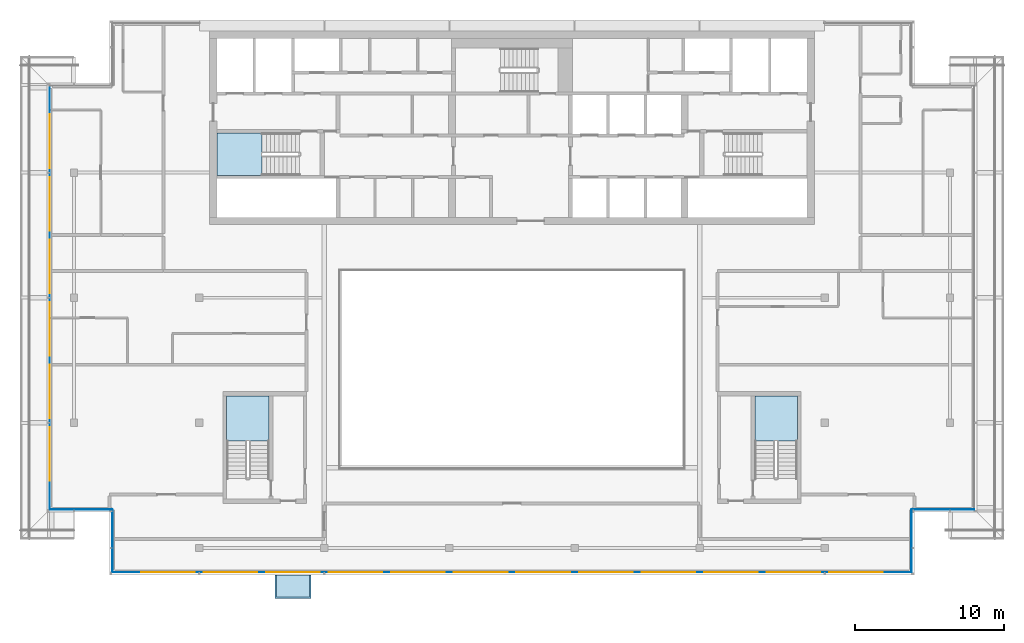
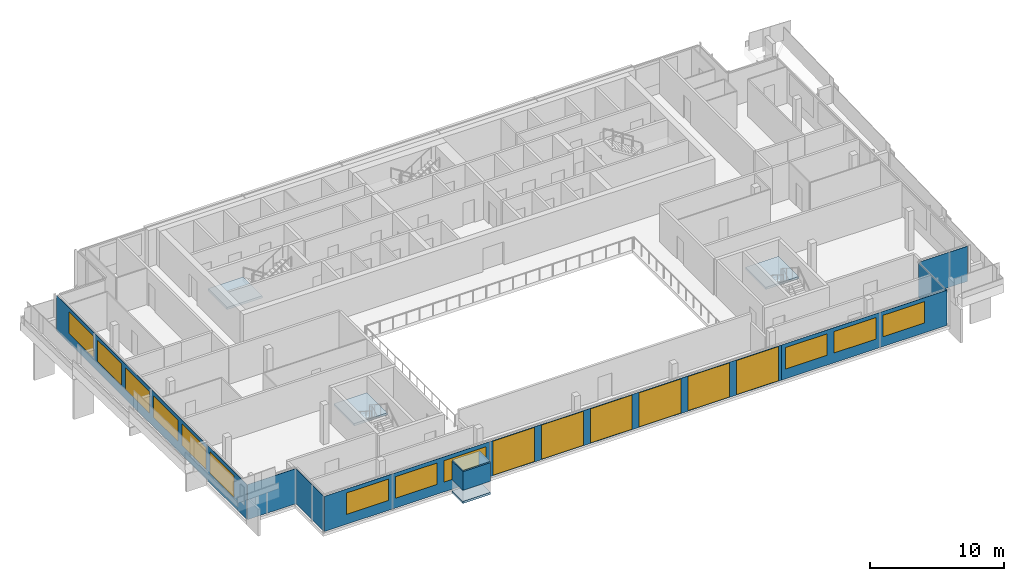
# One storey, part 9 of 19: 18 windows, 10 plates, 4 slabs, 18 openings, 9 elements without a shape of their own.
"""IFC4 building model written with IfcOpenShell, lengths in metres."""

from ifc_helpers import new_model, si_unit, direction, frame, frame_2d, origin, place, context, subcontext, project, spatial, polyline, rectangle, outline, extrude, material, layer, layer_set, type_object, element, fill, aggregate, save


model = new_model("IFC4")

# Units and contexts
model_context = context("Model", 3, precision=1e-05, world=origin(), true_north=direction((0.0, 1.0)))
body_context = subcontext(model_context, "Body", "Model", "MODEL_VIEW")
ifc_project = project(units=[si_unit("LENGTHUNIT", "METRE"), si_unit("AREAUNIT", "SQUARE_METRE"), si_unit("VOLUMEUNIT", "CUBIC_METRE"), si_unit("PLANEANGLEUNIT", "RADIAN"), si_unit("MASSUNIT", "GRAM", prefix="KILO")], contexts=[model_context])

# Site, building, storey
site_placement = place(None, origin())
site = spatial("IfcSite", under=ifc_project, at=site_placement, CompositionType="ELEMENT")
building_placement = place(site_placement, origin())
building = spatial("IfcBuilding", under=site, at=building_placement, Name="Saffron Gate Tower", CompositionType="ELEMENT")
storey_placement = place(building_placement, frame((0.0, 0.0, 292.35009765625)))
storey = spatial("IfcBuildingStorey", under=building, at=storey_placement, Name="L71", CompositionType="ELEMENT", Elevation=292.35009765625)

# Curtain wall, plates, openings, windows
ifc_material_1 = material(Name="Aluminium, bronze anodised", Category="aluminium")
curtain_wall_type_1 = type_object("IfcCurtainWallType", Name="CWS1 curtain wall front facade", PredefinedType="NOTDEFINED", material=ifc_material_1)
curtain_wall_1_placement = place(storey_placement, origin())
curtain_wall_1 = element("IfcCurtainWall", 1, at=curtain_wall_1_placement, inside=storey, type_object=curtain_wall_type_1, Name="CWS1 run 1", PredefinedType="NOTDEFINED")
ifc_material_2 = material(Name="Clear low-iron laminated glass", Category="glass")
ifc_layer_1 = layer(ifc_material_2, 0.028076171875)
ifc_layer_set_1 = layer_set([ifc_layer_1], Name="CWS1 clear glass")
plate_type_1 = type_object("IfcPlateType", Name="CWS1 clear glass", PredefinedType="CURTAIN_PANEL", material=ifc_layer_set_1)
plate_1_placement = place(storey_placement, frame((75.030029296875, 38.573974609375, 0.0), z_axis=(0.0, 0.0, 1.0), x_axis=(1.0, 0.0, 0.0)))
plate_1 = element("IfcPlate", 2, at=plate_1_placement, type_object=plate_type_1, Name="CWS1 clear glass panel", PredefinedType="CURTAIN_PANEL", context=body_context, shape_type="SweptSolid", body=[
    extrude(rectangle(XDim=25.139892578125, YDim=0.028076171875, at=frame_2d((12.56982421875, 0.0))), origin(), (0.0, 0.0, 1.0), 3.199951171875),
])
opening_1_placement = place(plate_1_placement, frame((0.27001953125, 0.0, 0.050048828125)))
opening_1 = element("IfcOpeningElement", 3, at=opening_1_placement, cuts=plate_1, Name="Opening WA", PredefinedType="OPENING", context=body_context, shape_type="SweptSolid", body=[
    extrude(rectangle(XDim=3.60009765625, YDim=3.10009765625, at=frame_2d((1.800048828125, 1.550048828125))), frame((0.0, 0.02392578125, 0.0), z_axis=(0.0, -1.0, 0.0), x_axis=(1.0, 0.0, 0.0)), (0.0, 0.0, 1.0), 0.048095703125),
])
opening_2_placement = place(plate_1_placement, frame((4.469970703125, 0.0, 0.050048828125)))
opening_2 = element("IfcOpeningElement", 4, at=opening_2_placement, cuts=plate_1, Name="Opening WA", PredefinedType="OPENING", context=body_context, shape_type="SweptSolid", body=[
    extrude(rectangle(XDim=3.60009765625, YDim=3.10009765625, at=frame_2d((1.800048828125, 1.550048828125))), frame((0.0, 0.02392578125, 0.0), z_axis=(0.0, -1.0, 0.0), x_axis=(1.0, 0.0, 0.0)), (0.0, 0.0, 1.0), 0.048095703125),
])
opening_3_placement = place(plate_1_placement, frame((8.669921875, 0.0, 0.050048828125)))
opening_3 = element("IfcOpeningElement", 5, at=opening_3_placement, cuts=plate_1, Name="Opening WA", PredefinedType="OPENING", context=body_context, shape_type="SweptSolid", body=[
    extrude(rectangle(XDim=3.60009765625, YDim=3.10009765625, at=frame_2d((1.800048828125, 1.550048828125))), frame((0.0, 0.02392578125, 0.0), z_axis=(0.0, -1.0, 0.0), x_axis=(1.0, 0.0, 0.0)), (0.0, 0.0, 1.0), 0.048095703125),
])
opening_4_placement = place(plate_1_placement, frame((12.8701171875, 0.0, 0.050048828125)))
opening_4 = element("IfcOpeningElement", 6, at=opening_4_placement, cuts=plate_1, Name="Opening WA", PredefinedType="OPENING", context=body_context, shape_type="SweptSolid", body=[
    extrude(rectangle(XDim=3.60009765625, YDim=3.10009765625, at=frame_2d((1.800048828125, 1.550048828125))), frame((0.0, 0.02392578125, 0.0), z_axis=(0.0, -1.0, 0.0), x_axis=(1.0, 0.0, 0.0)), (0.0, 0.0, 1.0), 0.048095703125),
])
opening_5_placement = place(plate_1_placement, frame((17.070068359375, 0.0, 0.050048828125)))
opening_5 = element("IfcOpeningElement", 7, at=opening_5_placement, cuts=plate_1, Name="Opening WA", PredefinedType="OPENING", context=body_context, shape_type="SweptSolid", body=[
    extrude(rectangle(XDim=3.60009765625, YDim=3.10009765625, at=frame_2d((1.800048828125, 1.550048828125))), frame((0.0, 0.02392578125, 0.0), z_axis=(0.0, -1.0, 0.0), x_axis=(1.0, 0.0, 0.0)), (0.0, 0.0, 1.0), 0.048095703125),
])
opening_6_placement = place(plate_1_placement, frame((21.27001953125, 0.0, 0.050048828125)))
opening_6 = element("IfcOpeningElement", 8, at=opening_6_placement, cuts=plate_1, Name="Opening WA", PredefinedType="OPENING", context=body_context, shape_type="SweptSolid", body=[
    extrude(rectangle(XDim=3.60009765625, YDim=3.10009765625, at=frame_2d((1.800048828125, 1.550048828125))), frame((0.0, 0.02392578125, 0.0), z_axis=(0.0, -1.0, 0.0), x_axis=(1.0, 0.0, 0.0)), (0.0, 0.0, 1.0), 0.048095703125),
])
ifc_material_3 = material(Name="Clear low-iron laminated glass in bronze frame", Category="glass")
ifc_layer_2 = layer(ifc_material_3, 0.06005859375)
ifc_layer_set_2 = layer_set([ifc_layer_2], Name="WA operable atrium unit 3600x3100")
window_type_1 = type_object("IfcWindowType", Name="WA operable atrium unit 3600x3100", PartitioningType="DOUBLE_PANEL_HORIZONTAL", PredefinedType="WINDOW", material=ifc_layer_set_2)
window_1_placement = place(opening_1_placement, origin())
window_1 = element("IfcWindow", 9, at=window_1_placement, type_object=window_type_1, Name="WA operable atrium unit", OverallHeight=3.10009765625, OverallWidth=3.60009765625, PartitioningType="SINGLE_PANEL", PredefinedType="WINDOW", context=body_context, shape_type="SweptSolid", body=[
    extrude(rectangle(XDim=3.60009765625, YDim=3.10009765625, at=frame_2d((1.800048828125, 1.550048828125))), frame((0.0, 0.013671875, 0.0), z_axis=(0.0, -1.0, 0.0), x_axis=(1.0, 0.0, 0.0)), (0.0, 0.0, 1.0), 0.027587890625),
])
fill(opening_1, window_1)
window_2_placement = place(opening_2_placement, origin())
window_2 = element("IfcWindow", 10, at=window_2_placement, type_object=window_type_1, Name="WA operable atrium unit", OverallHeight=3.10009765625, OverallWidth=3.60009765625, PartitioningType="SINGLE_PANEL", PredefinedType="WINDOW", context=body_context, shape_type="SweptSolid", body=[
    extrude(rectangle(XDim=3.60009765625, YDim=3.10009765625, at=frame_2d((1.800048828125, 1.550048828125))), frame((0.0, 0.013671875, 0.0), z_axis=(0.0, -1.0, 0.0), x_axis=(1.0, 0.0, 0.0)), (0.0, 0.0, 1.0), 0.027587890625),
])
fill(opening_2, window_2)
window_3_placement = place(opening_3_placement, origin())
window_3 = element("IfcWindow", 11, at=window_3_placement, type_object=window_type_1, Name="WA operable atrium unit", OverallHeight=3.10009765625, OverallWidth=3.60009765625, PartitioningType="SINGLE_PANEL", PredefinedType="WINDOW", context=body_context, shape_type="SweptSolid", body=[
    extrude(rectangle(XDim=3.60009765625, YDim=3.10009765625, at=frame_2d((1.800048828125, 1.550048828125))), frame((0.0, 0.013671875, 0.0), z_axis=(0.0, -1.0, 0.0), x_axis=(1.0, 0.0, 0.0)), (0.0, 0.0, 1.0), 0.027587890625),
])
fill(opening_3, window_3)
window_4_placement = place(opening_4_placement, origin())
window_4 = element("IfcWindow", 12, at=window_4_placement, type_object=window_type_1, Name="WA operable atrium unit", OverallHeight=3.10009765625, OverallWidth=3.60009765625, PartitioningType="SINGLE_PANEL", PredefinedType="WINDOW", context=body_context, shape_type="SweptSolid", body=[
    extrude(rectangle(XDim=3.60009765625, YDim=3.10009765625, at=frame_2d((1.800048828125, 1.550048828125))), frame((0.0, 0.013671875, 0.0), z_axis=(0.0, -1.0, 0.0), x_axis=(1.0, 0.0, 0.0)), (0.0, 0.0, 1.0), 0.027587890625),
])
fill(opening_4, window_4)
window_5_placement = place(opening_5_placement, origin())
window_5 = element("IfcWindow", 13, at=window_5_placement, type_object=window_type_1, Name="WA operable atrium unit", OverallHeight=3.10009765625, OverallWidth=3.60009765625, PartitioningType="SINGLE_PANEL", PredefinedType="WINDOW", context=body_context, shape_type="SweptSolid", body=[
    extrude(rectangle(XDim=3.60009765625, YDim=3.10009765625, at=frame_2d((1.800048828125, 1.550048828125))), frame((0.0, 0.013671875, 0.0), z_axis=(0.0, -1.0, 0.0), x_axis=(1.0, 0.0, 0.0)), (0.0, 0.0, 1.0), 0.027587890625),
])
fill(opening_5, window_5)
window_6_placement = place(opening_6_placement, origin())
window_6 = element("IfcWindow", 14, at=window_6_placement, type_object=window_type_1, Name="WA operable atrium unit", OverallHeight=3.10009765625, OverallWidth=3.60009765625, PartitioningType="SINGLE_PANEL", PredefinedType="WINDOW", context=body_context, shape_type="SweptSolid", body=[
    extrude(rectangle(XDim=3.60009765625, YDim=3.10009765625, at=frame_2d((1.800048828125, 1.550048828125))), frame((0.0, 0.013671875, 0.0), z_axis=(0.0, -1.0, 0.0), x_axis=(1.0, 0.0, 0.0)), (0.0, 0.0, 1.0), 0.027587890625),
])
fill(opening_6, window_6)
ifc_material_4 = material(Name="Fritted bronze-tinted laminated glass", Category="glass")
ifc_layer_3 = layer(ifc_material_4, 0.028076171875)
ifc_layer_set_3 = layer_set([ifc_layer_3], Name="CWS1 fixed glass")
plate_type_2 = type_object("IfcPlateType", Name="CWS1 fixed glass", PredefinedType="CURTAIN_PANEL", material=ifc_layer_set_3)
plate_2_placement = place(storey_placement, frame((60.7880859375, 38.573974609375, 0.0), z_axis=(0.0, 0.0, 1.0), x_axis=(1.0, 0.0, 0.0)))
plate_2 = element("IfcPlate", 15, at=plate_2_placement, type_object=plate_type_2, Name="CWS1 glass panel", PredefinedType="CURTAIN_PANEL", context=body_context, shape_type="SweptSolid", body=[
    extrude(rectangle(XDim=14.241943359375, YDim=0.028076171875, at=frame_2d((7.12109375, 0.0))), origin(), (0.0, 0.0, 1.0), 3.199951171875),
])
opening_7_placement = place(plate_2_placement, frame((1.912109375, 0.0, 0.89990234375)))
opening_7 = element("IfcOpeningElement", 16, at=opening_7_placement, cuts=plate_2, Name="Opening W1", PredefinedType="OPENING", context=body_context, shape_type="SweptSolid", body=[
    extrude(rectangle(XDim=3.60009765625, YDim=1.949951171875, at=frame_2d((1.800048828125, 0.97509765625))), frame((0.0, 0.02392578125, 0.0), z_axis=(0.0, -1.0, 0.0), x_axis=(1.0, 0.0, 0.0)), (0.0, 0.0, 1.0), 0.048095703125),
])
opening_8_placement = place(plate_2_placement, frame((6.112060546875, 0.0, 0.89990234375)))
opening_8 = element("IfcOpeningElement", 17, at=opening_8_placement, cuts=plate_2, Name="Opening W1", PredefinedType="OPENING", context=body_context, shape_type="SweptSolid", body=[
    extrude(rectangle(XDim=3.60009765625, YDim=1.949951171875, at=frame_2d((1.800048828125, 0.97509765625))), frame((0.0, 0.02392578125, 0.0), z_axis=(0.0, -1.0, 0.0), x_axis=(1.0, 0.0, 0.0)), (0.0, 0.0, 1.0), 0.048095703125),
])
opening_9_placement = place(plate_2_placement, frame((10.31201171875, 0.0, 0.89990234375)))
opening_9 = element("IfcOpeningElement", 18, at=opening_9_placement, cuts=plate_2, Name="Opening W1", PredefinedType="OPENING", context=body_context, shape_type="SweptSolid", body=[
    extrude(rectangle(XDim=3.60009765625, YDim=1.949951171875, at=frame_2d((1.800048828125, 0.97509765625))), frame((0.0, 0.02392578125, 0.0), z_axis=(0.0, -1.0, 0.0), x_axis=(1.0, 0.0, 0.0)), (0.0, 0.0, 1.0), 0.048095703125),
])
ifc_material_5 = material(Name="Fritted bronze-tinted laminated glass in bronze frame", Category="glass")
ifc_layer_4 = layer(ifc_material_5, 0.06005859375)
ifc_layer_set_4 = layer_set([ifc_layer_4], Name="W1 operable panel 3600x1950")
window_type_2 = type_object("IfcWindowType", Name="W1 operable panel 3600x1950", PartitioningType="DOUBLE_PANEL_HORIZONTAL", PredefinedType="WINDOW", material=ifc_layer_set_4)
window_7_placement = place(opening_7_placement, origin())
window_7 = element("IfcWindow", 19, at=window_7_placement, type_object=window_type_2, Name="W1 operable panel", OverallHeight=1.949951171875, OverallWidth=3.60009765625, PartitioningType="SINGLE_PANEL", PredefinedType="WINDOW", context=body_context, shape_type="SweptSolid", body=[
    extrude(rectangle(XDim=3.60009765625, YDim=1.949951171875, at=frame_2d((1.800048828125, 0.97509765625))), frame((0.0, 0.013671875, 0.0), z_axis=(0.0, -1.0, 0.0), x_axis=(1.0, 0.0, 0.0)), (0.0, 0.0, 1.0), 0.027587890625),
])
fill(opening_7, window_7)
window_8_placement = place(opening_8_placement, origin())
window_8 = element("IfcWindow", 20, at=window_8_placement, type_object=window_type_2, Name="W1 operable panel", OverallHeight=1.949951171875, OverallWidth=3.60009765625, PartitioningType="SINGLE_PANEL", PredefinedType="WINDOW", context=body_context, shape_type="SweptSolid", body=[
    extrude(rectangle(XDim=3.60009765625, YDim=1.949951171875, at=frame_2d((1.800048828125, 0.97509765625))), frame((0.0, 0.013671875, 0.0), z_axis=(0.0, -1.0, 0.0), x_axis=(1.0, 0.0, 0.0)), (0.0, 0.0, 1.0), 0.027587890625),
])
fill(opening_8, window_8)
window_9_placement = place(opening_9_placement, origin())
window_9 = element("IfcWindow", 21, at=window_9_placement, type_object=window_type_2, Name="W1 operable panel", OverallHeight=1.949951171875, OverallWidth=3.60009765625, PartitioningType="SINGLE_PANEL", PredefinedType="WINDOW", context=body_context, shape_type="SweptSolid", body=[
    extrude(rectangle(XDim=3.60009765625, YDim=1.949951171875, at=frame_2d((1.800048828125, 0.97509765625))), frame((0.0, 0.013671875, 0.0), z_axis=(0.0, -1.0, 0.0), x_axis=(1.0, 0.0, 0.0)), (0.0, 0.0, 1.0), 0.027587890625),
])
fill(opening_9, window_9)
plate_3_placement = place(storey_placement, frame((100.169921875, 38.573974609375, 0.0), z_axis=(0.0, 0.0, 1.0), x_axis=(1.0, 0.0, 0.0)))
plate_3 = element("IfcPlate", 22, at=plate_3_placement, type_object=plate_type_2, Name="CWS1 glass panel", PredefinedType="CURTAIN_PANEL", context=body_context, shape_type="SweptSolid", body=[
    extrude(rectangle(XDim=14.2421875, YDim=0.028076171875, at=frame_2d((7.12109375, 0.0))), origin(), (0.0, 0.0, 1.0), 3.199951171875),
])
opening_10_placement = place(plate_3_placement, frame((0.330078125, 0.0, 0.89990234375)))
opening_10 = element("IfcOpeningElement", 23, at=opening_10_placement, cuts=plate_3, Name="Opening W1", PredefinedType="OPENING", context=body_context, shape_type="SweptSolid", body=[
    extrude(rectangle(XDim=3.60009765625, YDim=1.949951171875, at=frame_2d((1.800048828125, 0.97509765625))), frame((0.0, 0.02392578125, 0.0), z_axis=(0.0, -1.0, 0.0), x_axis=(1.0, 0.0, 0.0)), (0.0, 0.0, 1.0), 0.048095703125),
])
opening_11_placement = place(plate_3_placement, frame((4.530029296875, 0.0, 0.89990234375)))
opening_11 = element("IfcOpeningElement", 24, at=opening_11_placement, cuts=plate_3, Name="Opening W1", PredefinedType="OPENING", context=body_context, shape_type="SweptSolid", body=[
    extrude(rectangle(XDim=3.60009765625, YDim=1.949951171875, at=frame_2d((1.800048828125, 0.97509765625))), frame((0.0, 0.02392578125, 0.0), z_axis=(0.0, -1.0, 0.0), x_axis=(1.0, 0.0, 0.0)), (0.0, 0.0, 1.0), 0.048095703125),
])
opening_12_placement = place(plate_3_placement, frame((8.72998046875, 0.0, 0.89990234375)))
opening_12 = element("IfcOpeningElement", 25, at=opening_12_placement, cuts=plate_3, Name="Opening W1", PredefinedType="OPENING", context=body_context, shape_type="SweptSolid", body=[
    extrude(rectangle(XDim=3.60009765625, YDim=1.949951171875, at=frame_2d((1.800048828125, 0.97509765625))), frame((0.0, 0.02392578125, 0.0), z_axis=(0.0, -1.0, 0.0), x_axis=(1.0, 0.0, 0.0)), (0.0, 0.0, 1.0), 0.048095703125),
])
window_10_placement = place(opening_10_placement, origin())
window_10 = element("IfcWindow", 26, at=window_10_placement, type_object=window_type_2, Name="W1 operable panel", OverallHeight=1.949951171875, OverallWidth=3.60009765625, PartitioningType="SINGLE_PANEL", PredefinedType="WINDOW", context=body_context, shape_type="SweptSolid", body=[
    extrude(rectangle(XDim=3.60009765625, YDim=1.949951171875, at=frame_2d((1.800048828125, 0.97509765625))), frame((0.0, 0.013671875, 0.0), z_axis=(0.0, -1.0, 0.0), x_axis=(1.0, 0.0, 0.0)), (0.0, 0.0, 1.0), 0.027587890625),
])
fill(opening_10, window_10)
window_11_placement = place(opening_11_placement, origin())
window_11 = element("IfcWindow", 27, at=window_11_placement, type_object=window_type_2, Name="W1 operable panel", OverallHeight=1.949951171875, OverallWidth=3.60009765625, PartitioningType="SINGLE_PANEL", PredefinedType="WINDOW", context=body_context, shape_type="SweptSolid", body=[
    extrude(rectangle(XDim=3.60009765625, YDim=1.949951171875, at=frame_2d((1.800048828125, 0.97509765625))), frame((0.0, 0.013671875, 0.0), z_axis=(0.0, -1.0, 0.0), x_axis=(1.0, 0.0, 0.0)), (0.0, 0.0, 1.0), 0.027587890625),
])
fill(opening_11, window_11)
window_12_placement = place(opening_12_placement, origin())
window_12 = element("IfcWindow", 28, at=window_12_placement, type_object=window_type_2, Name="W1 operable panel", OverallHeight=1.949951171875, OverallWidth=3.60009765625, PartitioningType="SINGLE_PANEL", PredefinedType="WINDOW", context=body_context, shape_type="SweptSolid", body=[
    extrude(rectangle(XDim=3.60009765625, YDim=1.949951171875, at=frame_2d((1.800048828125, 0.97509765625))), frame((0.0, 0.013671875, 0.0), z_axis=(0.0, -1.0, 0.0), x_axis=(1.0, 0.0, 0.0)), (0.0, 0.0, 1.0), 0.027587890625),
])
fill(opening_12, window_12)
aggregate(curtain_wall_1, [plate_2, plate_3, plate_1, window_7, window_8, window_9, window_10, window_11, window_12, window_1, window_2, window_3, window_4, window_5, window_6])

# Curtain wall, plate, openings, windows
curtain_wall_type_2 = type_object("IfcCurtainWallType", Name="CWS2 curtain wall side facades", PredefinedType="NOTDEFINED", material=ifc_material_1)
curtain_wall_2_placement = place(storey_placement, origin())
curtain_wall_2 = element("IfcCurtainWall", 29, at=curtain_wall_2_placement, inside=storey, type_object=curtain_wall_type_2, Name="CWS2 run 10", PredefinedType="NOTDEFINED")
ifc_layer_5 = layer(ifc_material_4, 0.028076171875)
ifc_layer_set_5 = layer_set([ifc_layer_5], Name="CWS2 fixed glass")
plate_type_3 = type_object("IfcPlateType", Name="CWS2 fixed glass", PredefinedType="CURTAIN_PANEL", material=ifc_layer_set_5)
plate_4_placement = place(storey_placement, frame((56.573974609375, 71.2119140625, 0.0), z_axis=(0.0, 0.0, 1.0), x_axis=(0.0, -1.0, 0.0)))
plate_4 = element("IfcPlate", 30, at=plate_4_placement, type_object=plate_type_3, Name="CWS2 glass panel", PredefinedType="CURTAIN_PANEL", context=body_context, shape_type="SweptSolid", body=[
    extrude(rectangle(XDim=28.423828125, YDim=0.028076171875, at=frame_2d((14.2119140625, 0.0))), origin(), (0.0, 0.0, 1.0), 3.199951171875),
])
opening_13_placement = place(plate_4_placement, frame((1.912109375, 0.0, 0.89990234375)))
opening_13 = element("IfcOpeningElement", 31, at=opening_13_placement, cuts=plate_4, Name="Opening W1", PredefinedType="OPENING", context=body_context, shape_type="SweptSolid", body=[
    extrude(rectangle(XDim=3.60009765625, YDim=1.949951171875, at=frame_2d((1.800048828125, 0.97509765625))), frame((0.0, 0.02392578125, 0.0), z_axis=(0.0, -1.0, 0.0), x_axis=(1.0, 0.0, 0.0)), (0.0, 0.0, 1.0), 0.048095703125),
])
opening_14_placement = place(plate_4_placement, frame((6.112060546875, 0.0, 0.89990234375)))
opening_14 = element("IfcOpeningElement", 32, at=opening_14_placement, cuts=plate_4, Name="Opening W1", PredefinedType="OPENING", context=body_context, shape_type="SweptSolid", body=[
    extrude(rectangle(XDim=3.60009765625, YDim=1.949951171875, at=frame_2d((1.800048828125, 0.97509765625))), frame((0.0, 0.02392578125, 0.0), z_axis=(0.0, -1.0, 0.0), x_axis=(1.0, 0.0, 0.0)), (0.0, 0.0, 1.0), 0.048095703125),
])
opening_15_placement = place(plate_4_placement, frame((10.31201171875, 0.0, 0.89990234375)))
opening_15 = element("IfcOpeningElement", 33, at=opening_15_placement, cuts=plate_4, Name="Opening W1", PredefinedType="OPENING", context=body_context, shape_type="SweptSolid", body=[
    extrude(rectangle(XDim=3.60009765625, YDim=1.949951171875, at=frame_2d((1.800048828125, 0.97509765625))), frame((0.0, 0.02392578125, 0.0), z_axis=(0.0, -1.0, 0.0), x_axis=(1.0, 0.0, 0.0)), (0.0, 0.0, 1.0), 0.048095703125),
])
opening_16_placement = place(plate_4_placement, frame((14.511962890625, 0.0, 0.89990234375)))
opening_16 = element("IfcOpeningElement", 34, at=opening_16_placement, cuts=plate_4, Name="Opening W1", PredefinedType="OPENING", context=body_context, shape_type="SweptSolid", body=[
    extrude(rectangle(XDim=3.60009765625, YDim=1.949951171875, at=frame_2d((1.800048828125, 0.97509765625))), frame((0.0, 0.02392578125, 0.0), z_axis=(0.0, -1.0, 0.0), x_axis=(1.0, 0.0, 0.0)), (0.0, 0.0, 1.0), 0.048095703125),
])
opening_17_placement = place(plate_4_placement, frame((18.7119140625, 0.0, 0.89990234375)))
opening_17 = element("IfcOpeningElement", 35, at=opening_17_placement, cuts=plate_4, Name="Opening W1", PredefinedType="OPENING", context=body_context, shape_type="SweptSolid", body=[
    extrude(rectangle(XDim=3.60009765625, YDim=1.949951171875, at=frame_2d((1.800048828125, 0.97509765625))), frame((0.0, 0.02392578125, 0.0), z_axis=(0.0, -1.0, 0.0), x_axis=(1.0, 0.0, 0.0)), (0.0, 0.0, 1.0), 0.048095703125),
])
opening_18_placement = place(plate_4_placement, frame((22.912109375, 0.0, 0.89990234375)))
opening_18 = element("IfcOpeningElement", 36, at=opening_18_placement, cuts=plate_4, Name="Opening W1", PredefinedType="OPENING", context=body_context, shape_type="SweptSolid", body=[
    extrude(rectangle(XDim=3.60009765625, YDim=1.949951171875, at=frame_2d((1.800048828125, 0.97509765625))), frame((0.0, 0.02392578125, 0.0), z_axis=(0.0, -1.0, 0.0), x_axis=(1.0, 0.0, 0.0)), (0.0, 0.0, 1.0), 0.048095703125),
])
window_13_placement = place(opening_13_placement, origin())
window_13 = element("IfcWindow", 37, at=window_13_placement, type_object=window_type_2, Name="W1 operable panel", OverallHeight=1.949951171875, OverallWidth=3.60009765625, PartitioningType="SINGLE_PANEL", PredefinedType="WINDOW", context=body_context, shape_type="SweptSolid", body=[
    extrude(rectangle(XDim=3.60009765625, YDim=1.949951171875, at=frame_2d((1.800048828125, 0.97509765625))), frame((0.0, 0.013671875, 0.0), z_axis=(0.0, -1.0, 0.0), x_axis=(1.0, 0.0, 0.0)), (0.0, 0.0, 1.0), 0.027587890625),
])
fill(opening_13, window_13)
window_14_placement = place(opening_14_placement, origin())
window_14 = element("IfcWindow", 38, at=window_14_placement, type_object=window_type_2, Name="W1 operable panel", OverallHeight=1.949951171875, OverallWidth=3.60009765625, PartitioningType="SINGLE_PANEL", PredefinedType="WINDOW", context=body_context, shape_type="SweptSolid", body=[
    extrude(rectangle(XDim=3.60009765625, YDim=1.949951171875, at=frame_2d((1.800048828125, 0.97509765625))), frame((0.0, 0.013671875, 0.0), z_axis=(0.0, -1.0, 0.0), x_axis=(1.0, 0.0, 0.0)), (0.0, 0.0, 1.0), 0.027587890625),
])
fill(opening_14, window_14)
window_15_placement = place(opening_15_placement, origin())
window_15 = element("IfcWindow", 39, at=window_15_placement, type_object=window_type_2, Name="W1 operable panel", OverallHeight=1.949951171875, OverallWidth=3.60009765625, PartitioningType="SINGLE_PANEL", PredefinedType="WINDOW", context=body_context, shape_type="SweptSolid", body=[
    extrude(rectangle(XDim=3.60009765625, YDim=1.949951171875, at=frame_2d((1.800048828125, 0.97509765625))), frame((0.0, 0.013671875, 0.0), z_axis=(0.0, -1.0, 0.0), x_axis=(1.0, 0.0, 0.0)), (0.0, 0.0, 1.0), 0.027587890625),
])
fill(opening_15, window_15)
window_16_placement = place(opening_16_placement, origin())
window_16 = element("IfcWindow", 40, at=window_16_placement, type_object=window_type_2, Name="W1 operable panel", OverallHeight=1.949951171875, OverallWidth=3.60009765625, PartitioningType="SINGLE_PANEL", PredefinedType="WINDOW", context=body_context, shape_type="SweptSolid", body=[
    extrude(rectangle(XDim=3.60009765625, YDim=1.949951171875, at=frame_2d((1.800048828125, 0.97509765625))), frame((0.0, 0.013671875, 0.0), z_axis=(0.0, -1.0, 0.0), x_axis=(1.0, 0.0, 0.0)), (0.0, 0.0, 1.0), 0.027587890625),
])
fill(opening_16, window_16)
window_17_placement = place(opening_17_placement, origin())
window_17 = element("IfcWindow", 41, at=window_17_placement, type_object=window_type_2, Name="W1 operable panel", OverallHeight=1.949951171875, OverallWidth=3.60009765625, PartitioningType="SINGLE_PANEL", PredefinedType="WINDOW", context=body_context, shape_type="SweptSolid", body=[
    extrude(rectangle(XDim=3.60009765625, YDim=1.949951171875, at=frame_2d((1.800048828125, 0.97509765625))), frame((0.0, 0.013671875, 0.0), z_axis=(0.0, -1.0, 0.0), x_axis=(1.0, 0.0, 0.0)), (0.0, 0.0, 1.0), 0.027587890625),
])
fill(opening_17, window_17)
window_18_placement = place(opening_18_placement, origin())
window_18 = element("IfcWindow", 42, at=window_18_placement, type_object=window_type_2, Name="W1 operable panel", OverallHeight=1.949951171875, OverallWidth=3.60009765625, PartitioningType="SINGLE_PANEL", PredefinedType="WINDOW", context=body_context, shape_type="SweptSolid", body=[
    extrude(rectangle(XDim=3.60009765625, YDim=1.949951171875, at=frame_2d((1.800048828125, 0.97509765625))), frame((0.0, 0.013671875, 0.0), z_axis=(0.0, -1.0, 0.0), x_axis=(1.0, 0.0, 0.0)), (0.0, 0.0, 1.0), 0.027587890625),
])
fill(opening_18, window_18)
aggregate(curtain_wall_2, [plate_4, window_13, window_14, window_15, window_16, window_17, window_18])

# Curtain wall, plate
curtain_wall_type_3 = type_object("IfcCurtainWallType", Name="CWS4 curtain wall corner returns", PredefinedType="NOTDEFINED", material=ifc_material_1)
curtain_wall_3_placement = place(storey_placement, origin())
curtain_wall_3 = element("IfcCurtainWall", 43, at=curtain_wall_3_placement, inside=storey, type_object=curtain_wall_type_3, Name="CWS4 run 2", PredefinedType="NOTDEFINED")
ifc_layer_6 = layer(ifc_material_4, 0.028076171875)
ifc_layer_set_6 = layer_set([ifc_layer_6], Name="CWS4 fixed glass")
plate_type_4 = type_object("IfcPlateType", Name="CWS4 fixed glass", PredefinedType="CURTAIN_PANEL", material=ifc_layer_set_6)
plate_5_placement = place(storey_placement, frame((114.426025390625, 38.587890625, 0.0), z_axis=(0.0, 0.0, 1.0), x_axis=(0.0, 1.0, 0.0)))
plate_5 = element("IfcPlate", 44, at=plate_5_placement, type_object=plate_type_4, Name="CWS4 glass panel", PredefinedType="CURTAIN_PANEL", context=body_context, shape_type="SweptSolid", body=[
    extrude(rectangle(XDim=4.172119140625, YDim=0.028076171875, at=frame_2d((2.0859375, 0.0))), origin(), (0.0, 0.0, 1.0), 3.199951171875),
])
aggregate(curtain_wall_3, [plate_5])

curtain_wall_4_placement = place(storey_placement, origin())
curtain_wall_4 = element("IfcCurtainWall", 45, at=curtain_wall_4_placement, inside=storey, type_object=curtain_wall_type_3, Name="CWS4 run 3", PredefinedType="NOTDEFINED")
plate_6_placement = place(storey_placement, frame((114.43994140625, 42.77392578125, 0.0), z_axis=(0.0, 0.0, 1.0), x_axis=(1.0, 0.0, 0.0)))
plate_6 = element("IfcPlate", 46, at=plate_6_placement, type_object=plate_type_4, Name="CWS4 glass panel", PredefinedType="CURTAIN_PANEL", context=body_context, shape_type="SweptSolid", body=[
    extrude(rectangle(XDim=4.172119140625, YDim=0.028076171875, at=frame_2d((2.0859375, 0.0))), origin(), (0.0, 0.0, 1.0), 3.199951171875),
])
aggregate(curtain_wall_4, [plate_6])

curtain_wall_5_placement = place(storey_placement, origin())
curtain_wall_5 = element("IfcCurtainWall", 47, at=curtain_wall_5_placement, inside=storey, type_object=curtain_wall_type_3, Name="CWS4 run 11", PredefinedType="NOTDEFINED")
plate_7_placement = place(storey_placement, frame((56.587890625, 42.77392578125, 0.0), z_axis=(0.0, 0.0, 1.0), x_axis=(1.0, 0.0, 0.0)))
plate_7 = element("IfcPlate", 48, at=plate_7_placement, type_object=plate_type_4, Name="CWS4 glass panel", PredefinedType="CURTAIN_PANEL", context=body_context, shape_type="SweptSolid", body=[
    extrude(rectangle(XDim=4.172119140625, YDim=0.028076171875, at=frame_2d((2.0859375, 0.0))), origin(), (0.0, 0.0, 1.0), 3.199951171875),
])
aggregate(curtain_wall_5, [plate_7])

curtain_wall_6_placement = place(storey_placement, origin())
curtain_wall_6 = element("IfcCurtainWall", 49, at=curtain_wall_6_placement, inside=storey, type_object=curtain_wall_type_3, Name="CWS4 run 12", PredefinedType="NOTDEFINED")
plate_8_placement = place(storey_placement, frame((60.77392578125, 42.760009765625, 0.0), z_axis=(0.0, 0.0, 1.0), x_axis=(0.0, -1.0, 0.0)))
plate_8 = element("IfcPlate", 50, at=plate_8_placement, type_object=plate_type_4, Name="CWS4 glass panel", PredefinedType="CURTAIN_PANEL", context=body_context, shape_type="SweptSolid", body=[
    extrude(rectangle(XDim=4.172119140625, YDim=0.028076171875, at=frame_2d((2.0859375, 0.0))), origin(), (0.0, 0.0, 1.0), 3.199951171875),
])
aggregate(curtain_wall_6, [plate_8])

# Stair, slab
ifc_material_6 = material(Name="Concrete C40", Category="concrete")
stair_type = type_object("IfcStairType", Name="ST7 Stair 1350 wide, 20 risers of 180", PredefinedType="HALF_TURN_STAIR", material=ifc_material_6)
stair_1_placement = place(storey_placement, origin())
stair_1 = element("IfcStair", 51, at=stair_1_placement, inside=storey, type_object=stair_type, Name="L71 Exit stair A", PredefinedType="HALF_TURN_STAIR")
ifc_layer_7 = layer(ifc_material_6, 0.199951171875)
ifc_layer_set_7 = layer_set([ifc_layer_7], Name="SL1 Stair landing 200")
slab_type_1 = type_object("IfcSlabType", Name="SL1 Stair landing 200", PredefinedType="LANDING", material=ifc_layer_set_7)
slab_1_placement = place(storey_placement, frame((0.0, 0.0, 1.599853515625)))
slab_1 = element("IfcSlab", 52, at=slab_1_placement, type_object=slab_type_1, Name="ST-A landing 1", PredefinedType="LANDING", context=body_context, shape_type="SweptSolid", body=[
    extrude(outline(polyline([(70.830078125, 68.050048828125), (67.800048828125, 68.050048828125), (67.800048828125, 65.199951171875), (70.830078125, 65.199951171875), (70.830078125, 68.050048828125)])), origin(), (0.0, 0.0, 1.0), 0.199951171875),
])
aggregate(stair_1, [slab_1])

stair_2_placement = place(storey_placement, origin())
stair_2 = element("IfcStair", 53, at=stair_2_placement, inside=storey, type_object=stair_type, Name="L71 Exit stair D", PredefinedType="HALF_TURN_STAIR")
slab_2_placement = place(storey_placement, frame((0.0, 0.0, 1.599853515625)))
slab_2 = element("IfcSlab", 54, at=slab_2_placement, type_object=slab_type_1, Name="ST-D landing 1", PredefinedType="LANDING", context=body_context, shape_type="SweptSolid", body=[
    extrude(outline(polyline([(71.300048828125, 47.3701171875), (71.300048828125, 50.39990234375), (68.449951171875, 50.39990234375), (68.449951171875, 47.3701171875), (71.300048828125, 47.3701171875)])), origin(), (0.0, 0.0, 1.0), 0.199951171875),
])
aggregate(stair_2, [slab_2])

stair_3_placement = place(storey_placement, origin())
stair_3 = element("IfcStair", 55, at=stair_3_placement, inside=storey, type_object=stair_type, Name="L71 Exit stair E", PredefinedType="HALF_TURN_STAIR")
slab_3_placement = place(storey_placement, frame((0.0, 0.0, 1.599853515625)))
slab_3 = element("IfcSlab", 56, at=slab_3_placement, type_object=slab_type_1, Name="ST-E landing 1", PredefinedType="LANDING", context=body_context, shape_type="SweptSolid", body=[
    extrude(outline(polyline([(106.75, 47.3701171875), (106.75, 50.39990234375), (103.89990234375, 50.39990234375), (103.89990234375, 47.3701171875), (106.75, 47.3701171875)])), origin(), (0.0, 0.0, 1.0), 0.199951171875),
])
aggregate(stair_3, [slab_3])

# Slab
ifc_material_7 = material(Name="Timber deck on bronze frame", Category="wood")
ifc_layer_8 = layer(ifc_material_7, 0.199951171875)
ifc_layer_set_8 = layer_set([ifc_layer_8], Name="WB1 box floor")
slab_type_2 = type_object("IfcSlabType", Name="WB1 box floor", PredefinedType="FLOOR", material=ifc_layer_set_8)
slab_4_placement = place(storey_placement, frame((0.0, 0.0, -0.2001953125)))
element("IfcSlab", 57, at=slab_4_placement, inside=storey, type_object=slab_type_2, Name="WINDOW BOX floor", PredefinedType="FLOOR", context=body_context, shape_type="SweptSolid", body=[
    extrude(outline(polyline([(71.699951171875, 38.39990234375), (74.10009765625, 38.39990234375), (74.10009765625, 36.800048828125), (71.699951171875, 36.800048828125), (71.699951171875, 38.39990234375)])), origin(), (0.0, 0.0, 1.0), 0.2001953125),
])

# Plates
ifc_layer_9 = layer(ifc_material_1, 0.1201171875)
ifc_layer_set_9 = layer_set([ifc_layer_9], Name="WB2 box roof")
plate_type_5 = type_object("IfcPlateType", Name="WB2 box roof", PredefinedType="SHEET", material=ifc_layer_set_9)
plate_9_placement = place(storey_placement, frame((0.0, 0.0, 2.699951171875)))
element("IfcPlate", 58, at=plate_9_placement, inside=storey, type_object=plate_type_5, Name="WINDOW BOX roof", PredefinedType="SHEET", context=body_context, shape_type="SweptSolid", body=[
    extrude(outline(polyline([(71.699951171875, 38.39990234375), (74.10009765625, 38.39990234375), (74.10009765625, 36.800048828125), (71.699951171875, 36.800048828125), (71.699951171875, 38.39990234375)])), origin(), (0.0, 0.0, 1.0), 0.119873046875),
])
ifc_layer_10 = layer(ifc_material_2, 0.10009765625)
ifc_layer_set_10 = layer_set([ifc_layer_10], Name="WB6 box glazing")
plate_type_6 = type_object("IfcPlateType", Name="WB6 box glazing", PredefinedType="SHEET", material=ifc_layer_set_10)
plate_10_placement = place(storey_placement, frame((0.0, 0.0, 1.0)))
element("IfcPlate", 59, at=plate_10_placement, inside=storey, type_object=plate_type_6, Name="WINDOW BOX glazing", PredefinedType="SHEET", context=body_context, shape_type="SweptSolid", body=[
    extrude(outline(polyline([(71.699951171875, 38.39990234375), (71.800048828125, 38.39990234375), (71.800048828125, 36.89990234375), (74.0, 36.89990234375), (74.0, 38.39990234375), (74.10009765625, 38.39990234375), (74.10009765625, 36.800048828125), (71.699951171875, 36.800048828125), (71.699951171875, 38.39990234375)])), origin(), (0.0, 0.0, 1.0), 1.699951171875),
])

save(model, "model.ifc")
